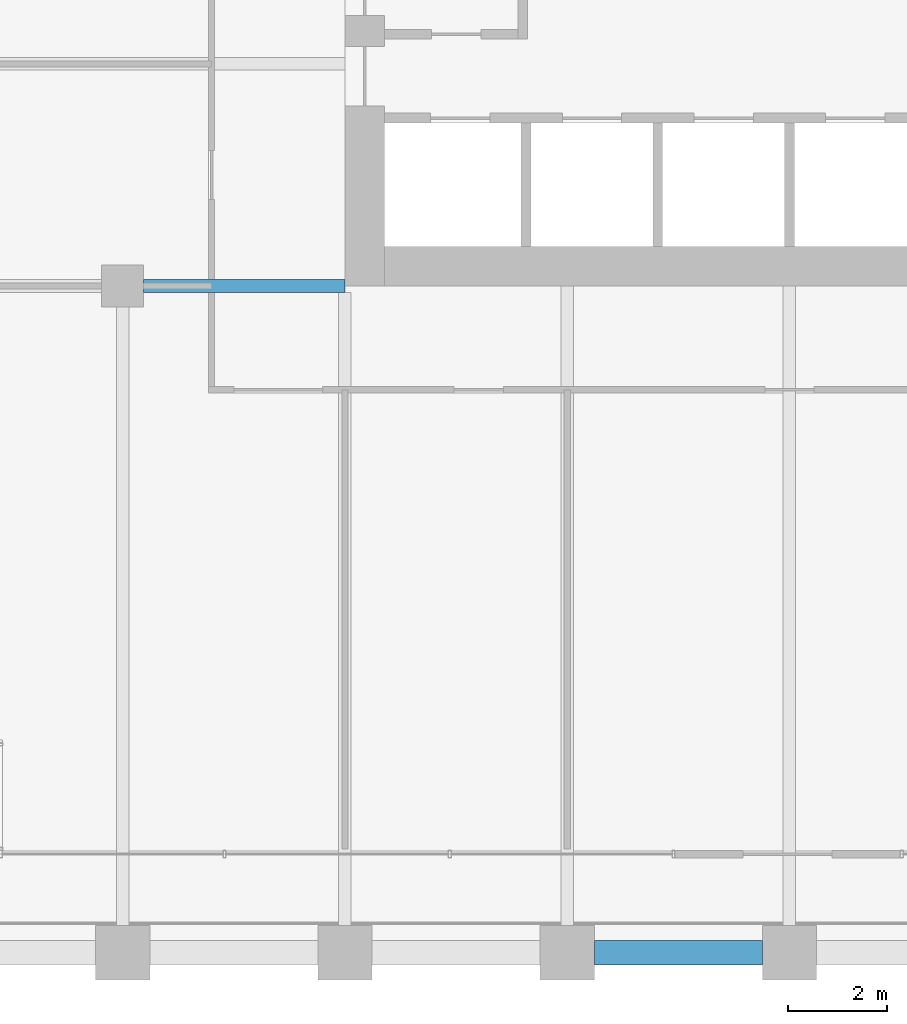
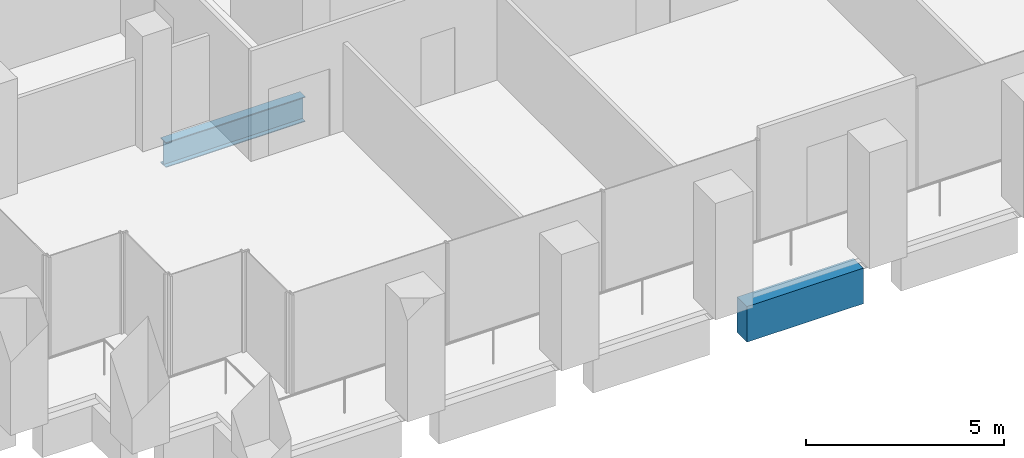
# One storey, part 6 of 56: 2 beams.
"""IFC4 building model written with IfcOpenShell, lengths in metres."""

from ifc_helpers import new_model, si_unit, direction, frame, origin, origin_2d, place, context, subcontext, project, spatial, rectangle, i_section, extrude, material, material_profile, profile_set, type_object, element, save


model = new_model("IFC4")

# Units and contexts
model_context = context("Model", 3, precision=1e-05, world=origin(), true_north=direction((0.0, 1.0)))
body_context = subcontext(model_context, "Body", "Model", "MODEL_VIEW")
ifc_project = project(units=[si_unit("LENGTHUNIT", "METRE"), si_unit("AREAUNIT", "SQUARE_METRE"), si_unit("VOLUMEUNIT", "CUBIC_METRE"), si_unit("PLANEANGLEUNIT", "RADIAN"), si_unit("MASSUNIT", "GRAM", prefix="KILO")], contexts=[model_context])

# Site, building, storey
site_placement = place(None, origin())
site = spatial("IfcSite", under=ifc_project, at=site_placement, CompositionType="ELEMENT")
building_placement = place(site_placement, origin())
building = spatial("IfcBuilding", under=site, at=building_placement, Name="Altepetl Exchange Towers", CompositionType="ELEMENT")
storey_placement = place(building_placement, frame((0.0, 0.0, 51.0)))
storey = spatial("IfcBuildingStorey", under=building, at=storey_placement, Name="L11", CompositionType="ELEMENT", Elevation=51.0)

# Beams
ifc_material_1 = material(Name="Steel S355", Category="steel")
ifc_material_profile_1 = material_profile(ifc_material_1, i_section(OverallWidth=0.26806640625, OverallDepth=0.77392578125, WebThickness=0.015380859375, FlangeThickness=0.025390625, at=origin_2d()), Name="W30X132")
ifc_profile_set_1 = profile_set([ifc_material_profile_1], Name="Steel S355")
beam_type_1 = type_object("IfcBeamType", Name="Girder W30X132", PredefinedType="BEAM", material=ifc_profile_set_1)
beam_1_placement = place(storey_placement, frame((40.5, 40.5, -0.537109375), z_axis=(-1.0, 0.0, 0.0), x_axis=(0.0, -1.0, 0.0)))
element("IfcBeam", 1, at=beam_1_placement, inside=storey, type_object=beam_type_1, Name="gd:A:L11:009", PredefinedType="BEAM", context=body_context, shape_type="SweptSolid", body=[
    extrude(i_section(OverallWidth=0.26806640625, OverallDepth=0.77392578125, WebThickness=0.015380859375, FlangeThickness=0.025390625, at=origin_2d()), origin(), (0.0, 0.0, 1.0), 4.074951171875),
])
ifc_material_2 = material(Name="Concrete C50/60 precast with cantera blanca facing", Category="concrete")
ifc_material_profile_2 = material_profile(ifc_material_2, rectangle(XDim=0.5, YDim=1.10009765625, at=origin_2d()), Name="500 x 1100")
ifc_profile_set_2 = profile_set([ifc_material_profile_2], Name="Concrete C50/60 precast with cantera blanca facing")
beam_type_2 = type_object("IfcBeamType", Name="Spandrel beam 500x1100 cantera blanca", PredefinedType="SPANDREL", material=ifc_profile_set_2)
beam_2_placement = place(storey_placement, frame((45.550048828125, 27.0, -0.699951171875), z_axis=(1.0, 0.0, 0.0), x_axis=(0.0, 1.0, 0.0)))
element("IfcBeam", 2, at=beam_2_placement, inside=storey, type_object=beam_type_2, Name="sp:A:L11:003", PredefinedType="SPANDREL", context=body_context, shape_type="SweptSolid", body=[
    extrude(rectangle(XDim=0.5, YDim=1.10009765625, at=origin_2d()), origin(), (0.0, 0.0, 1.0), 3.39990234375),
])

save(model, "model.ifc")
